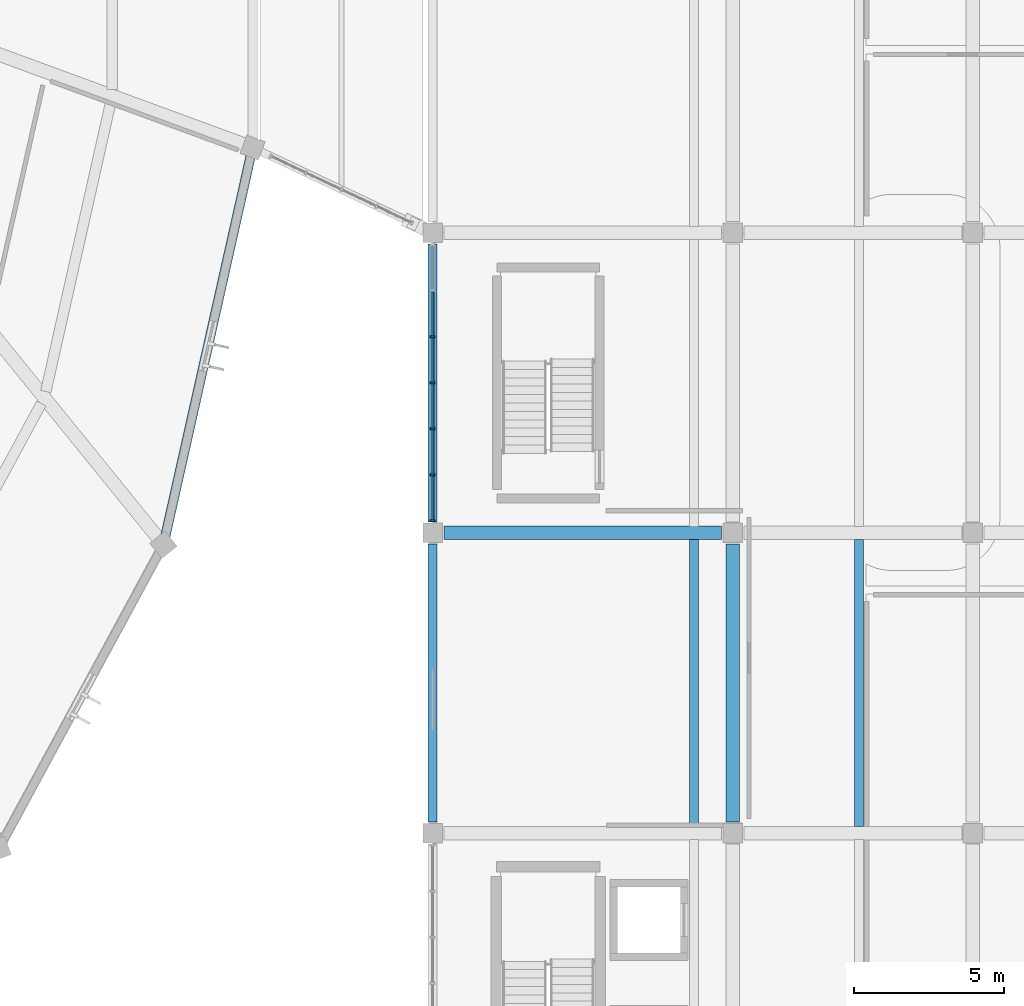
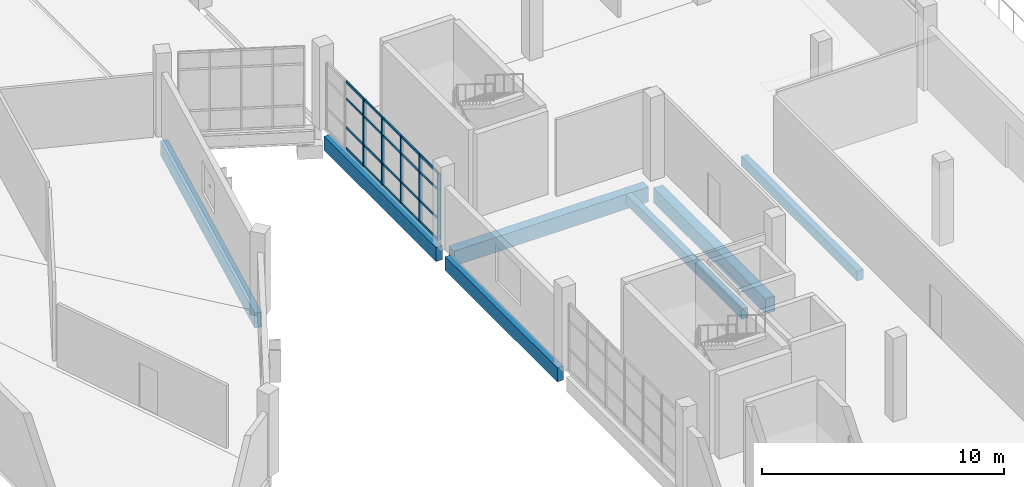
# One storey, part 56 of 142: 25 members, 7 beams, 1 element without a shape of its own.
"""IFC4 building model written with IfcOpenShell, lengths in metres."""

from ifc_helpers import new_model, si_unit, direction, frame, origin, origin_2d, place, context, subcontext, project, spatial, rectangle, extrude, material, layer, layer_set, material_profile, profile_set, type_object, element, aggregate, save


model = new_model("IFC4")

# Units and contexts
model_context = context("Model", 3, precision=1e-05, world=origin(), true_north=direction((0.0, 1.0)))
body_context = subcontext(model_context, "Body", "Model", "MODEL_VIEW")
ifc_project = project(units=[si_unit("LENGTHUNIT", "METRE"), si_unit("AREAUNIT", "SQUARE_METRE"), si_unit("VOLUMEUNIT", "CUBIC_METRE"), si_unit("PLANEANGLEUNIT", "RADIAN"), si_unit("MASSUNIT", "GRAM", prefix="KILO")], contexts=[model_context])

# Site, building, storey
site_placement = place(None, origin())
site = spatial("IfcSite", under=ifc_project, at=site_placement, CompositionType="ELEMENT")
building_placement = place(site_placement, origin())
building = spatial("IfcBuilding", under=site, at=building_placement, Name="Corvandel Quay Wholesale Market", CompositionType="ELEMENT")
storey_placement = place(building_placement, frame((0.0, 0.0, 10.800048828125)))
storey = spatial("IfcBuildingStorey", under=building, at=storey_placement, Name="L02", CompositionType="ELEMENT", Elevation=10.800048828125)

# Curtain wall, members
ifc_material_1 = material(Name="Bronze anodised aluminium and low-E insulated glazing", Category="aluminium")
ifc_layer = layer(ifc_material_1, 0.174072265625)
ifc_layer_set = layer_set([ifc_layer], Name="Bronze anodised aluminium and low-E insulated glazing")
curtain_wall_type = type_object("IfcCurtainWallType", Name="Stick Curtain Wall System CW22 H4980", PredefinedType="NOTDEFINED", material=ifc_layer_set)
curtain_wall_placement = place(storey_placement, origin())
curtain_wall = element("IfcCurtainWall", 1, at=curtain_wall_placement, inside=storey, type_object=curtain_wall_type, Name="Curtain Wall CW-0159", PredefinedType="NOTDEFINED")
ifc_material_2 = material(Name="Anodised aluminium 6063-T6", Category="aluminium")
ifc_material_profile_1 = material_profile(ifc_material_2, rectangle(XDim=0.06494140625, YDim=0.14990234375, at=origin_2d()), Name="ALU-MUL-65x150")
ifc_profile_set_1 = profile_set([ifc_material_profile_1], Name="Anodised aluminium 6063-T6")
member_type_1 = type_object("IfcMemberType", Name="Curtain Wall Mullion ML02 65x150", PredefinedType="MULLION", material=ifc_profile_set_1)
member_1_placement = place(storey_placement, frame((220.0, 40.39990234375, 0.0), z_axis=(0.0, 0.0, 1.0), x_axis=(0.0, 1.0, 0.0)))
member_1 = element("IfcMember", 2, at=member_1_placement, type_object=member_type_1, Name="Mullion CW-0159-M00", PredefinedType="MULLION", context=body_context, shape_type="SweptSolid", body=[
    extrude(rectangle(XDim=0.06494140625, YDim=0.14990234375, at=origin_2d()), origin(), (0.0, 0.0, 1.0), 3.349853515625),
])
member_2_placement = place(storey_placement, frame((220.0, 41.933349609375, 0.0), z_axis=(0.0, 0.0, 1.0), x_axis=(0.0, 1.0, 0.0)))
member_2 = element("IfcMember", 3, at=member_2_placement, type_object=member_type_1, Name="Mullion CW-0159-M01", PredefinedType="MULLION", context=body_context, shape_type="SweptSolid", body=[
    extrude(rectangle(XDim=0.06494140625, YDim=0.14990234375, at=origin_2d()), origin(), (0.0, 0.0, 1.0), 3.349853515625),
])
member_3_placement = place(storey_placement, frame((220.0, 43.466796875, 0.0), z_axis=(0.0, 0.0, 1.0), x_axis=(0.0, 1.0, 0.0)))
member_3 = element("IfcMember", 4, at=member_3_placement, type_object=member_type_1, Name="Mullion CW-0159-M02", PredefinedType="MULLION", context=body_context, shape_type="SweptSolid", body=[
    extrude(rectangle(XDim=0.06494140625, YDim=0.14990234375, at=origin_2d()), origin(), (0.0, 0.0, 1.0), 3.349853515625),
])
member_4_placement = place(storey_placement, frame((220.0, 45.0, 0.0), z_axis=(0.0, 0.0, 1.0), x_axis=(0.0, 1.0, 0.0)))
member_4 = element("IfcMember", 5, at=member_4_placement, type_object=member_type_1, Name="Mullion CW-0159-M03", PredefinedType="MULLION", context=body_context, shape_type="SweptSolid", body=[
    extrude(rectangle(XDim=0.06494140625, YDim=0.14990234375, at=origin_2d()), origin(), (0.0, 0.0, 1.0), 3.349853515625),
])
member_5_placement = place(storey_placement, frame((220.0, 46.533203125, 0.0), z_axis=(0.0, 0.0, 1.0), x_axis=(0.0, 1.0, 0.0)))
member_5 = element("IfcMember", 6, at=member_5_placement, type_object=member_type_1, Name="Mullion CW-0159-M04", PredefinedType="MULLION", context=body_context, shape_type="SweptSolid", body=[
    extrude(rectangle(XDim=0.06494140625, YDim=0.14990234375, at=origin_2d()), origin(), (0.0, 0.0, 1.0), 3.349853515625),
])
ifc_material_profile_2 = material_profile(ifc_material_2, rectangle(XDim=0.06005859375, YDim=0.110107421875, at=origin_2d()), Name="ALU-TRN-60x110")
ifc_profile_set_2 = profile_set([ifc_material_profile_2], Name="Anodised aluminium 6063-T6")
member_type_2 = type_object("IfcMemberType", Name="Curtain Wall Transom TR02 60x110", PredefinedType="USERDEFINED", material=ifc_profile_set_2)
member_6_placement = place(storey_placement, frame((220.0, 40.4326171875, 0.0), z_axis=(0.0, 1.0, 0.0), x_axis=(-1.0, 0.0, 0.0)))
member_6 = element("IfcMember", 7, at=member_6_placement, type_object=member_type_2, Name="Transom CW-0159-T00-0", ObjectType="TRANSOM", PredefinedType="USERDEFINED", context=body_context, shape_type="SweptSolid", body=[
    extrude(rectangle(XDim=0.06005859375, YDim=0.110107421875, at=origin_2d()), origin(), (0.0, 0.0, 1.0), 1.46826171875),
])
member_7_placement = place(storey_placement, frame((220.0, 40.4326171875, 1.050048828125), z_axis=(0.0, 1.0, 0.0), x_axis=(-1.0, 0.0, 0.0)))
member_7 = element("IfcMember", 8, at=member_7_placement, type_object=member_type_2, Name="Transom CW-0159-T00-1", ObjectType="TRANSOM", PredefinedType="USERDEFINED", context=body_context, shape_type="SweptSolid", body=[
    extrude(rectangle(XDim=0.06005859375, YDim=0.110107421875, at=origin_2d()), origin(), (0.0, 0.0, 1.0), 1.46826171875),
])
member_8_placement = place(storey_placement, frame((220.0, 40.4326171875, 2.5), z_axis=(0.0, 1.0, 0.0), x_axis=(-1.0, 0.0, 0.0)))
member_8 = element("IfcMember", 9, at=member_8_placement, type_object=member_type_2, Name="Transom CW-0159-T00-2", ObjectType="TRANSOM", PredefinedType="USERDEFINED", context=body_context, shape_type="SweptSolid", body=[
    extrude(rectangle(XDim=0.06005859375, YDim=0.110107421875, at=origin_2d()), origin(), (0.0, 0.0, 1.0), 1.46826171875),
])
member_9_placement = place(storey_placement, frame((220.0, 40.4326171875, 3.349853515625), z_axis=(0.0, 1.0, 0.0), x_axis=(-1.0, 0.0, 0.0)))
member_9 = element("IfcMember", 10, at=member_9_placement, type_object=member_type_2, Name="Transom CW-0159-T00-3", ObjectType="TRANSOM", PredefinedType="USERDEFINED", context=body_context, shape_type="SweptSolid", body=[
    extrude(rectangle(XDim=0.06005859375, YDim=0.110107421875, at=origin_2d()), origin(), (0.0, 0.0, 1.0), 1.46826171875),
])
member_10_placement = place(storey_placement, frame((220.0, 41.9658203125, 0.0), z_axis=(0.0, 1.0, 0.0), x_axis=(-1.0, 0.0, 0.0)))
member_10 = element("IfcMember", 11, at=member_10_placement, type_object=member_type_2, Name="Transom CW-0159-T01-0", ObjectType="TRANSOM", PredefinedType="USERDEFINED", context=body_context, shape_type="SweptSolid", body=[
    extrude(rectangle(XDim=0.06005859375, YDim=0.110107421875, at=origin_2d()), origin(), (0.0, 0.0, 1.0), 1.46826171875),
])
member_11_placement = place(storey_placement, frame((220.0, 41.9658203125, 1.050048828125), z_axis=(0.0, 1.0, 0.0), x_axis=(-1.0, 0.0, 0.0)))
member_11 = element("IfcMember", 12, at=member_11_placement, type_object=member_type_2, Name="Transom CW-0159-T01-1", ObjectType="TRANSOM", PredefinedType="USERDEFINED", context=body_context, shape_type="SweptSolid", body=[
    extrude(rectangle(XDim=0.06005859375, YDim=0.110107421875, at=origin_2d()), origin(), (0.0, 0.0, 1.0), 1.46826171875),
])
member_12_placement = place(storey_placement, frame((220.0, 41.9658203125, 2.5), z_axis=(0.0, 1.0, 0.0), x_axis=(-1.0, 0.0, 0.0)))
member_12 = element("IfcMember", 13, at=member_12_placement, type_object=member_type_2, Name="Transom CW-0159-T01-2", ObjectType="TRANSOM", PredefinedType="USERDEFINED", context=body_context, shape_type="SweptSolid", body=[
    extrude(rectangle(XDim=0.06005859375, YDim=0.110107421875, at=origin_2d()), origin(), (0.0, 0.0, 1.0), 1.46826171875),
])
member_13_placement = place(storey_placement, frame((220.0, 41.9658203125, 3.349853515625), z_axis=(0.0, 1.0, 0.0), x_axis=(-1.0, 0.0, 0.0)))
member_13 = element("IfcMember", 14, at=member_13_placement, type_object=member_type_2, Name="Transom CW-0159-T01-3", ObjectType="TRANSOM", PredefinedType="USERDEFINED", context=body_context, shape_type="SweptSolid", body=[
    extrude(rectangle(XDim=0.06005859375, YDim=0.110107421875, at=origin_2d()), origin(), (0.0, 0.0, 1.0), 1.46826171875),
])
member_14_placement = place(storey_placement, frame((220.0, 43.499267578125, 0.0), z_axis=(0.0, 1.0, 0.0), x_axis=(-1.0, 0.0, 0.0)))
member_14 = element("IfcMember", 15, at=member_14_placement, type_object=member_type_2, Name="Transom CW-0159-T02-0", ObjectType="TRANSOM", PredefinedType="USERDEFINED", context=body_context, shape_type="SweptSolid", body=[
    extrude(rectangle(XDim=0.06005859375, YDim=0.110107421875, at=origin_2d()), origin(), (0.0, 0.0, 1.0), 1.46826171875),
])
member_15_placement = place(storey_placement, frame((220.0, 43.499267578125, 1.050048828125), z_axis=(0.0, 1.0, 0.0), x_axis=(-1.0, 0.0, 0.0)))
member_15 = element("IfcMember", 16, at=member_15_placement, type_object=member_type_2, Name="Transom CW-0159-T02-1", ObjectType="TRANSOM", PredefinedType="USERDEFINED", context=body_context, shape_type="SweptSolid", body=[
    extrude(rectangle(XDim=0.06005859375, YDim=0.110107421875, at=origin_2d()), origin(), (0.0, 0.0, 1.0), 1.46826171875),
])
member_16_placement = place(storey_placement, frame((220.0, 43.499267578125, 2.5), z_axis=(0.0, 1.0, 0.0), x_axis=(-1.0, 0.0, 0.0)))
member_16 = element("IfcMember", 17, at=member_16_placement, type_object=member_type_2, Name="Transom CW-0159-T02-2", ObjectType="TRANSOM", PredefinedType="USERDEFINED", context=body_context, shape_type="SweptSolid", body=[
    extrude(rectangle(XDim=0.06005859375, YDim=0.110107421875, at=origin_2d()), origin(), (0.0, 0.0, 1.0), 1.46826171875),
])
member_17_placement = place(storey_placement, frame((220.0, 43.499267578125, 3.349853515625), z_axis=(0.0, 1.0, 0.0), x_axis=(-1.0, 0.0, 0.0)))
member_17 = element("IfcMember", 18, at=member_17_placement, type_object=member_type_2, Name="Transom CW-0159-T02-3", ObjectType="TRANSOM", PredefinedType="USERDEFINED", context=body_context, shape_type="SweptSolid", body=[
    extrude(rectangle(XDim=0.06005859375, YDim=0.110107421875, at=origin_2d()), origin(), (0.0, 0.0, 1.0), 1.46826171875),
])
member_18_placement = place(storey_placement, frame((220.0, 45.032470703125, 0.0), z_axis=(0.0, 1.0, 0.0), x_axis=(-1.0, 0.0, 0.0)))
member_18 = element("IfcMember", 19, at=member_18_placement, type_object=member_type_2, Name="Transom CW-0159-T03-0", ObjectType="TRANSOM", PredefinedType="USERDEFINED", context=body_context, shape_type="SweptSolid", body=[
    extrude(rectangle(XDim=0.06005859375, YDim=0.110107421875, at=origin_2d()), origin(), (0.0, 0.0, 1.0), 1.46826171875),
])
member_19_placement = place(storey_placement, frame((220.0, 45.032470703125, 1.050048828125), z_axis=(0.0, 1.0, 0.0), x_axis=(-1.0, 0.0, 0.0)))
member_19 = element("IfcMember", 20, at=member_19_placement, type_object=member_type_2, Name="Transom CW-0159-T03-1", ObjectType="TRANSOM", PredefinedType="USERDEFINED", context=body_context, shape_type="SweptSolid", body=[
    extrude(rectangle(XDim=0.06005859375, YDim=0.110107421875, at=origin_2d()), origin(), (0.0, 0.0, 1.0), 1.46826171875),
])
member_20_placement = place(storey_placement, frame((220.0, 45.032470703125, 2.5), z_axis=(0.0, 1.0, 0.0), x_axis=(-1.0, 0.0, 0.0)))
member_20 = element("IfcMember", 21, at=member_20_placement, type_object=member_type_2, Name="Transom CW-0159-T03-2", ObjectType="TRANSOM", PredefinedType="USERDEFINED", context=body_context, shape_type="SweptSolid", body=[
    extrude(rectangle(XDim=0.06005859375, YDim=0.110107421875, at=origin_2d()), origin(), (0.0, 0.0, 1.0), 1.46826171875),
])
member_21_placement = place(storey_placement, frame((220.0, 45.032470703125, 3.349853515625), z_axis=(0.0, 1.0, 0.0), x_axis=(-1.0, 0.0, 0.0)))
member_21 = element("IfcMember", 22, at=member_21_placement, type_object=member_type_2, Name="Transom CW-0159-T03-3", ObjectType="TRANSOM", PredefinedType="USERDEFINED", context=body_context, shape_type="SweptSolid", body=[
    extrude(rectangle(XDim=0.06005859375, YDim=0.110107421875, at=origin_2d()), origin(), (0.0, 0.0, 1.0), 1.46826171875),
])
member_22_placement = place(storey_placement, frame((220.0, 46.56591796875, 0.0), z_axis=(0.0, 1.0, 0.0), x_axis=(-1.0, 0.0, 0.0)))
member_22 = element("IfcMember", 23, at=member_22_placement, type_object=member_type_2, Name="Transom CW-0159-T04-0", ObjectType="TRANSOM", PredefinedType="USERDEFINED", context=body_context, shape_type="SweptSolid", body=[
    extrude(rectangle(XDim=0.06005859375, YDim=0.110107421875, at=origin_2d()), origin(), (0.0, 0.0, 1.0), 1.46826171875),
])
member_23_placement = place(storey_placement, frame((220.0, 46.56591796875, 1.050048828125), z_axis=(0.0, 1.0, 0.0), x_axis=(-1.0, 0.0, 0.0)))
member_23 = element("IfcMember", 24, at=member_23_placement, type_object=member_type_2, Name="Transom CW-0159-T04-1", ObjectType="TRANSOM", PredefinedType="USERDEFINED", context=body_context, shape_type="SweptSolid", body=[
    extrude(rectangle(XDim=0.06005859375, YDim=0.110107421875, at=origin_2d()), origin(), (0.0, 0.0, 1.0), 1.46826171875),
])
member_24_placement = place(storey_placement, frame((220.0, 46.56591796875, 2.5), z_axis=(0.0, 1.0, 0.0), x_axis=(-1.0, 0.0, 0.0)))
member_24 = element("IfcMember", 25, at=member_24_placement, type_object=member_type_2, Name="Transom CW-0159-T04-2", ObjectType="TRANSOM", PredefinedType="USERDEFINED", context=body_context, shape_type="SweptSolid", body=[
    extrude(rectangle(XDim=0.06005859375, YDim=0.110107421875, at=origin_2d()), origin(), (0.0, 0.0, 1.0), 1.46826171875),
])
member_25_placement = place(storey_placement, frame((220.0, 46.56591796875, 3.349853515625), z_axis=(0.0, 1.0, 0.0), x_axis=(-1.0, 0.0, 0.0)))
member_25 = element("IfcMember", 26, at=member_25_placement, type_object=member_type_2, Name="Transom CW-0159-T04-3", ObjectType="TRANSOM", PredefinedType="USERDEFINED", context=body_context, shape_type="SweptSolid", body=[
    extrude(rectangle(XDim=0.06005859375, YDim=0.110107421875, at=origin_2d()), origin(), (0.0, 0.0, 1.0), 1.46826171875),
])
aggregate(curtain_wall, [member_1, member_2, member_3, member_4, member_5, member_6, member_7, member_8, member_9, member_10, member_11, member_12, member_13, member_14, member_15, member_16, member_17, member_18, member_19, member_20, member_21, member_22, member_23, member_24, member_25])

# Beams
ifc_material_3 = material(Name="Precast concrete C45/55", Category="concrete")
ifc_material_profile_3 = material_profile(ifc_material_3, rectangle(XDim=0.300048828125, YDim=0.5, at=origin_2d()), Name="PC-BM-300x500")
ifc_profile_set_3 = profile_set([ifc_material_profile_3], Name="Precast concrete C45/55")
beam_type_1 = type_object("IfcBeamType", Name="Office Floor Secondary Beam B04 300x500", PredefinedType="BEAM", material=ifc_profile_set_3)
for number, where, z_axis, x_axis, name in (
    (27, (228.699951171875, 30.215087890625, -0.570068359375), (0.0, 1.0, 0.0), (-1.0, 0.0, 0.0), "Beam BM-1598"),
    (28, (234.199951171875, 30.215087890625, -0.570068359375), (0.0, 1.0, 0.0), (-1.0, 0.0, 0.0), "Beam BM-1599"),
):
    element("IfcBeam", number, at=place(storey_placement, frame(where, z_axis=z_axis, x_axis=x_axis)), inside=storey, type_object=beam_type_1, Name=name, PredefinedType="BEAM", context=body_context, shape_type="SweptSolid", body=[
        extrude(rectangle(XDim=0.300048828125, YDim=0.5, at=origin_2d()), origin(), (0.0, 0.0, 1.0), 9.56982421875),
    ])
ifc_material_profile_4 = material_profile(ifc_material_3, rectangle(XDim=0.320068359375, YDim=0.75, at=origin_2d()), Name="PC-SPN-320x750")
ifc_profile_set_4 = profile_set([ifc_material_profile_4], Name="Precast concrete C45/55")
beam_type_2 = type_object("IfcBeamType", Name="Pavilion Precast Spandrel SP02 320x750", PredefinedType="SPANDREL", material=ifc_profile_set_4)
beam_placement = place(storey_placement, frame((211.090087890625, 39.871337890625, -0.594970703125), z_axis=(0.218953092988, 0.975735385784, 0.0), x_axis=(-0.975735385784, 0.218953092988, 0.0)))
element("IfcBeam", 29, at=beam_placement, inside=storey, type_object=beam_type_2, Name="Beam BM-0919", PredefinedType="SPANDREL", context=body_context, shape_type="SweptSolid", body=[
    extrude(rectangle(XDim=0.320068359375, YDim=0.75, at=origin_2d()), origin(), (0.0, 0.0, 1.0), 13.020263671875),
])
ifc_material_profile_5 = material_profile(ifc_material_3, rectangle(XDim=0.300048828125, YDim=0.699951171875, at=origin_2d()), Name="PC-SPN-300x700")
ifc_profile_set_5 = profile_set([ifc_material_profile_5], Name="Precast concrete C45/55")
beam_type_3 = type_object("IfcBeamType", Name="Terrace Edge Spandrel SP03 300x700", PredefinedType="SPANDREL", material=ifc_profile_set_5)
for number, where, z_axis, x_axis, name in (
    (30, (220.0, 30.3701171875, -0.670166015625), (0.0, 1.0, 0.0), (-1.0, 0.0, 0.0), "Beam BM-1551"),
    (31, (220.0, 40.3701171875, -0.670166015625), (0.0, 1.0, 0.0), (-1.0, 0.0, 0.0), "Beam BM-1552"),
):
    element("IfcBeam", number, at=place(storey_placement, frame(where, z_axis=z_axis, x_axis=x_axis)), inside=storey, type_object=beam_type_3, Name=name, PredefinedType="SPANDREL", context=body_context, shape_type="SweptSolid", body=[
        extrude(rectangle(XDim=0.300048828125, YDim=0.699951171875, at=origin_2d()), origin(), (0.0, 0.0, 1.0), 9.259765625),
    ])
ifc_material_profile_6 = material_profile(ifc_material_3, rectangle(XDim=0.449951171875, YDim=0.75, at=origin_2d()), Name="PC-GIR-450x750")
ifc_profile_set_6 = profile_set([ifc_material_profile_6], Name="Precast concrete C45/55")
beam_type_4 = type_object("IfcBeamType", Name="Waterfront Office Girder G06 450x750", PredefinedType="USERDEFINED", material=ifc_profile_set_6)
for number, where, z_axis, x_axis, name in (
    (32, (220.3701171875, 40.0, -0.695068359375), (1.0, 0.0, 0.0), (0.0, 1.0, 0.0), "Beam BM-1521"),
    (33, (230.0, 30.3701171875, -0.695068359375), (0.0, 1.0, 0.0), (-1.0, 0.0, 0.0), "Beam BM-1560"),
):
    element("IfcBeam", number, at=place(storey_placement, frame(where, z_axis=z_axis, x_axis=x_axis)), inside=storey, type_object=beam_type_4, Name=name, ObjectType="GIRDER", PredefinedType="USERDEFINED", context=body_context, shape_type="SweptSolid", body=[
        extrude(rectangle(XDim=0.449951171875, YDim=0.75, at=origin_2d()), origin(), (0.0, 0.0, 1.0), 9.259765625),
    ])

save(model, "model.ifc")
